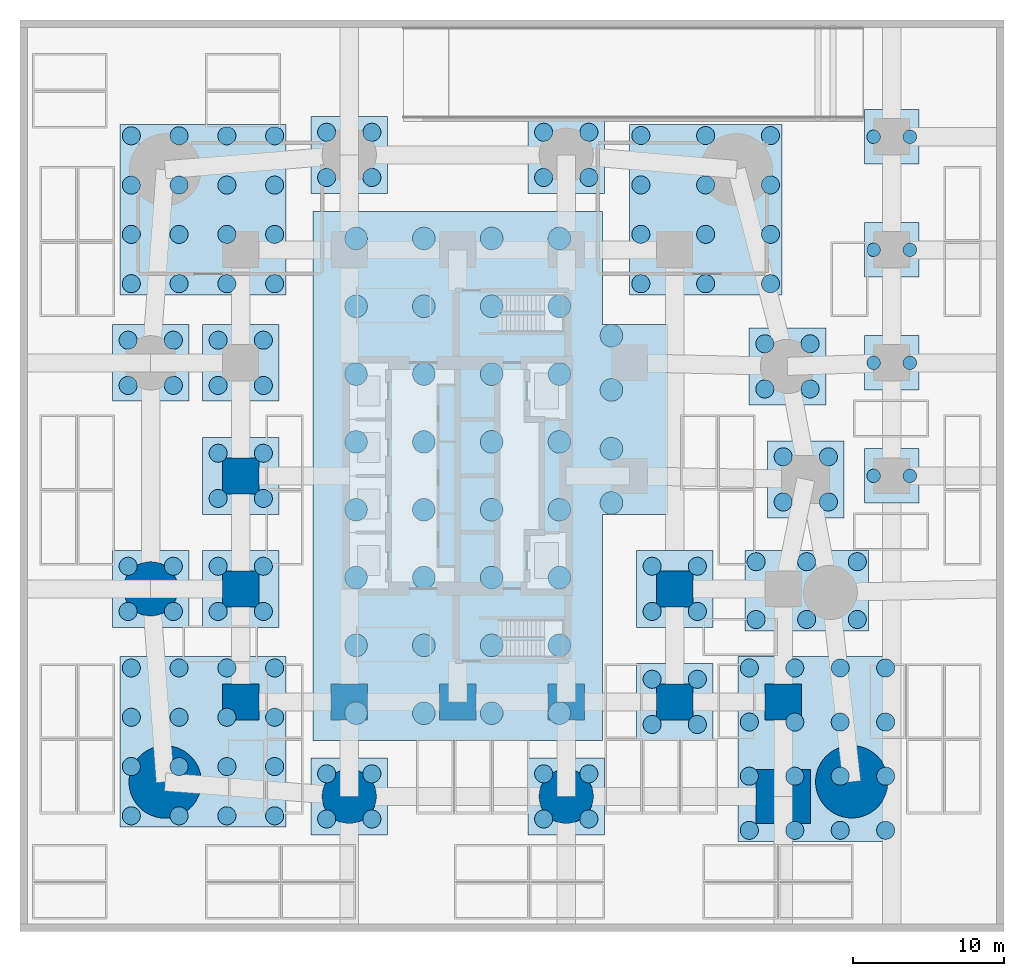
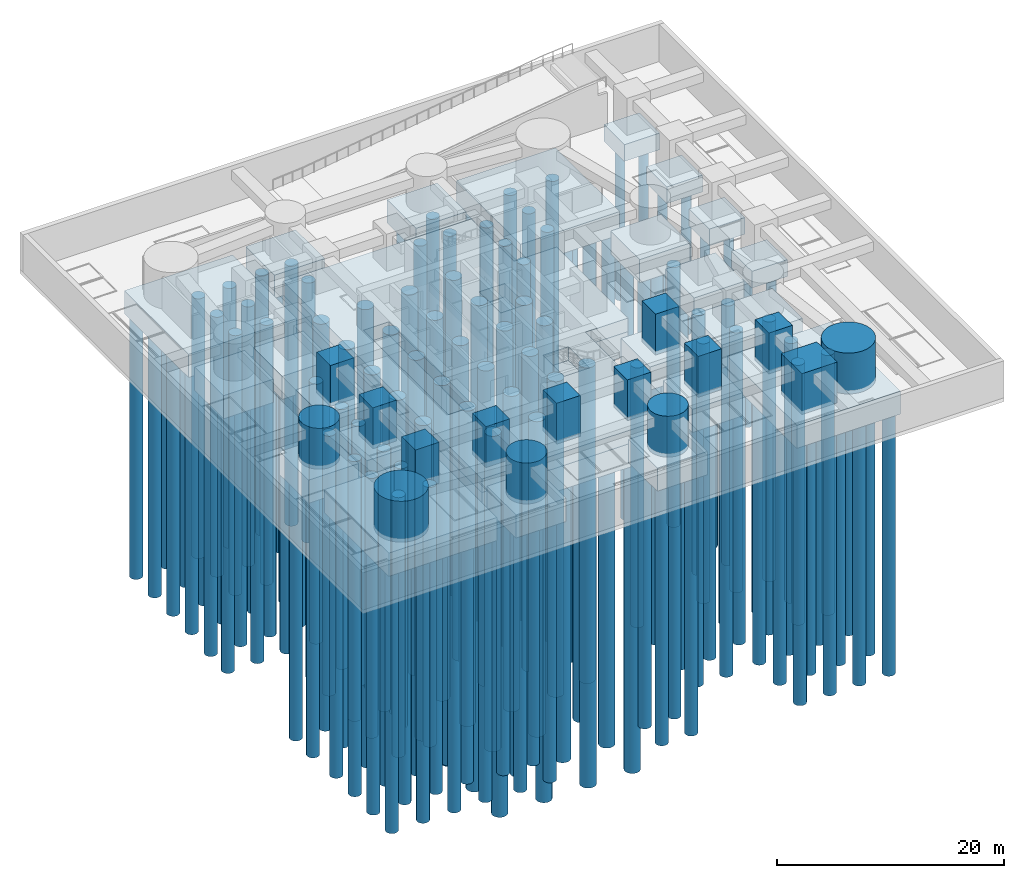
# One storey, part 1 of 10: 162 piles, 24 footings, 15 columns.
"""IFC4 building model written with IfcOpenShell, lengths in metres."""

from ifc_helpers import new_model, si_unit, direction, frame, origin, origin_2d, place, context, subcontext, project, spatial, polyline, rectangle, circle, outline, extrude, material, material_profile, profile_set, type_object, element, save


model = new_model("IFC4")

# Units and contexts
model_context = context("Model", 3, precision=1e-05, world=origin(), true_north=direction((0.0, 1.0)))
body_context = subcontext(model_context, "Body", "Model", "MODEL_VIEW")
ifc_project = project(units=[si_unit("LENGTHUNIT", "METRE"), si_unit("AREAUNIT", "SQUARE_METRE"), si_unit("VOLUMEUNIT", "CUBIC_METRE"), si_unit("PLANEANGLEUNIT", "RADIAN"), si_unit("MASSUNIT", "GRAM", prefix="KILO")], contexts=[model_context])

# Site, building, storey
site_placement = place(None, origin())
site = spatial("IfcSite", under=ifc_project, at=site_placement, CompositionType="ELEMENT")
building_placement = place(site_placement, origin())
building = spatial("IfcBuilding", under=site, at=building_placement, Name="Sheger Commons Tower", CompositionType="ELEMENT")
storey_placement = place(building_placement, frame((0.0, 0.0, -8.0)))
storey = spatial("IfcBuildingStorey", under=building, at=storey_placement, Name="B2", CompositionType="ELEMENT", Elevation=-8.0)

# Piles
ifc_material_1 = material(Name="Concrete C40/50", Category="concrete")
ifc_material_profile_1 = material_profile(ifc_material_1, circle(Radius=0.60009765625, at=origin_2d()), Name="PILE D1200")
ifc_profile_set_1 = profile_set([ifc_material_profile_1], Name="Concrete C40/50")
pile_type_1 = type_object("IfcPileType", Name="BORED PILE D1200", PredefinedType="BORED", material=ifc_profile_set_1)
for number, where, z_axis, x_axis, name in (
    (1, (12.89990234375, -0.27490234375, -2.89990234375), (0.0, 0.0, -1.0), (1.0, 0.0, 0.0), "Bored pile 37"),
    (2, (15.89990234375, -0.27490234375, -2.89990234375), (0.0, 0.0, -1.0), (1.0, 0.0, 0.0), "Bored pile 38"),
    (3, (12.89990234375, 2.72509765625, -2.89990234375), (0.0, 0.0, -1.0), (1.0, 0.0, 0.0), "Bored pile 39"),
    (4, (15.89990234375, 2.72509765625, -2.89990234375), (0.0, 0.0, -1.0), (1.0, 0.0, 0.0), "Bored pile 40"),
    (5, (27.300048828125, -0.27490234375, -2.89990234375), (0.0, 0.0, -1.0), (1.0, 0.0, 0.0), "Bored pile 41"),
    (6, (30.300048828125, -0.27490234375, -2.89990234375), (0.0, 0.0, -1.0), (1.0, 0.0, 0.0), "Bored pile 42"),
    (7, (27.300048828125, 2.72509765625, -2.89990234375), (0.0, 0.0, -1.0), (1.0, 0.0, 0.0), "Bored pile 43"),
    (8, (30.300048828125, 2.72509765625, -2.89990234375), (0.0, 0.0, -1.0), (1.0, 0.0, 0.0), "Bored pile 44"),
    (9, (40.949951171875, -1.02490234375, -2.89990234375), (0.0, 0.0, -1.0), (1.0, 0.0, 0.0), "Bored pile 45"),
    (10, (43.966064453125, -1.02490234375, -2.89990234375), (0.0, 0.0, -1.0), (1.0, 0.0, 0.0), "Bored pile 46"),
    (11, (46.98193359375, -1.02490234375, -2.89990234375), (0.0, 0.0, -1.0), (1.0, 0.0, 0.0), "Bored pile 47"),
    (12, (49.998046875, -1.02490234375, -2.89990234375), (0.0, 0.0, -1.0), (1.0, 0.0, 0.0), "Bored pile 48"),
    (13, (40.949951171875, 2.56689453125, -2.89990234375), (0.0, 0.0, -1.0), (1.0, 0.0, 0.0), "Bored pile 49"),
    (14, (43.966064453125, 2.56689453125, -2.89990234375), (0.0, 0.0, -1.0), (1.0, 0.0, 0.0), "Bored pile 50"),
    (15, (46.98193359375, 2.56689453125, -2.89990234375), (0.0, 0.0, -1.0), (1.0, 0.0, 0.0), "Bored pile 51"),
    (16, (49.998046875, 2.56689453125, -2.89990234375), (0.0, 0.0, -1.0), (1.0, 0.0, 0.0), "Bored pile 52"),
    (17, (40.949951171875, 6.157958984375, -2.89990234375), (0.0, 0.0, -1.0), (1.0, 0.0, 0.0), "Bored pile 53"),
    (18, (43.966064453125, 6.157958984375, -2.89990234375), (0.0, 0.0, -1.0), (1.0, 0.0, 0.0), "Bored pile 54"),
    (19, (46.98193359375, 6.157958984375, -2.89990234375), (0.0, 0.0, -1.0), (1.0, 0.0, 0.0), "Bored pile 55"),
    (20, (49.998046875, 6.157958984375, -2.89990234375), (0.0, 0.0, -1.0), (1.0, 0.0, 0.0), "Bored pile 56"),
    (21, (40.949951171875, 9.75, -2.89990234375), (0.0, 0.0, -1.0), (1.0, 0.0, 0.0), "Bored pile 57"),
    (22, (43.966064453125, 9.75, -2.89990234375), (0.0, 0.0, -1.0), (1.0, 0.0, 0.0), "Bored pile 58"),
    (23, (46.98193359375, 9.75, -2.89990234375), (0.0, 0.0, -1.0), (1.0, 0.0, 0.0), "Bored pile 59"),
    (24, (49.998046875, 9.75, -2.89990234375), (0.0, 0.0, -1.0), (1.0, 0.0, 0.0), "Bored pile 60"),
    (25, (-0.06396484375, -0.06396484375, -2.89990234375), (0.0, 0.0, -1.0), (1.0, 0.0, 0.0), "Bored pile 61"),
    (26, (3.10693359375, -0.06396484375, -2.89990234375), (0.0, 0.0, -1.0), (1.0, 0.0, 0.0), "Bored pile 62"),
    (27, (6.279052734375, -0.06396484375, -2.89990234375), (0.0, 0.0, -1.0), (1.0, 0.0, 0.0), "Bored pile 63"),
    (28, (9.449951171875, -0.06396484375, -2.89990234375), (0.0, 0.0, -1.0), (1.0, 0.0, 0.0), "Bored pile 64"),
    (29, (-0.06396484375, 3.20703125, -2.89990234375), (0.0, 0.0, -1.0), (1.0, 0.0, 0.0), "Bored pile 65"),
    (30, (3.10693359375, 3.20703125, -2.89990234375), (0.0, 0.0, -1.0), (1.0, 0.0, 0.0), "Bored pile 66"),
    (31, (6.279052734375, 3.20703125, -2.89990234375), (0.0, 0.0, -1.0), (1.0, 0.0, 0.0), "Bored pile 67"),
    (32, (9.449951171875, 3.20703125, -2.89990234375), (0.0, 0.0, -1.0), (1.0, 0.0, 0.0), "Bored pile 68"),
    (33, (-0.06396484375, 6.47900390625, -2.89990234375), (0.0, 0.0, -1.0), (1.0, 0.0, 0.0), "Bored pile 69"),
    (34, (3.10693359375, 6.47900390625, -2.89990234375), (0.0, 0.0, -1.0), (1.0, 0.0, 0.0), "Bored pile 70"),
    (35, (6.279052734375, 6.47900390625, -2.89990234375), (0.0, 0.0, -1.0), (1.0, 0.0, 0.0), "Bored pile 71"),
    (36, (9.449951171875, 6.47900390625, -2.89990234375), (0.0, 0.0, -1.0), (1.0, 0.0, 0.0), "Bored pile 72"),
    (37, (-0.06396484375, 9.75, -2.89990234375), (0.0, 0.0, -1.0), (1.0, 0.0, 0.0), "Bored pile 73"),
    (38, (3.10693359375, 9.75, -2.89990234375), (0.0, 0.0, -1.0), (1.0, 0.0, 0.0), "Bored pile 74"),
    (39, (6.279052734375, 9.75, -2.89990234375), (0.0, 0.0, -1.0), (1.0, 0.0, 0.0), "Bored pile 75"),
    (40, (9.449951171875, 9.75, -2.89990234375), (0.0, 0.0, -1.0), (1.0, 0.0, 0.0), "Bored pile 76"),
    (41, (34.5, 6.0, -2.89990234375), (0.0, 0.0, -1.0), (1.0, 0.0, 0.0), "Bored pile 77"),
    (42, (37.5, 6.0, -2.89990234375), (0.0, 0.0, -1.0), (1.0, 0.0, 0.0), "Bored pile 78"),
    (43, (34.5, 9.0, -2.89990234375), (0.0, 0.0, -1.0), (1.0, 0.0, 0.0), "Bored pile 79"),
    (44, (37.5, 9.0, -2.89990234375), (0.0, 0.0, -1.0), (1.0, 0.0, 0.0), "Bored pile 80"),
    (45, (-0.27490234375, 13.5, -2.89990234375), (0.0, 0.0, -1.0), (1.0, 0.0, 0.0), "Bored pile 81"),
    (46, (2.72509765625, 13.5, -2.89990234375), (0.0, 0.0, -1.0), (1.0, 0.0, 0.0), "Bored pile 82"),
    (47, (-0.27490234375, 16.5, -2.89990234375), (0.0, 0.0, -1.0), (1.0, 0.0, 0.0), "Bored pile 83"),
    (48, (2.72509765625, 16.5, -2.89990234375), (0.0, 0.0, -1.0), (1.0, 0.0, 0.0), "Bored pile 84"),
    (49, (5.699951171875, 13.5, -2.89990234375), (0.0, 0.0, -1.0), (1.0, 0.0, 0.0), "Bored pile 85"),
    (50, (8.699951171875, 13.5, -2.89990234375), (0.0, 0.0, -1.0), (1.0, 0.0, 0.0), "Bored pile 86"),
    (51, (5.699951171875, 16.5, -2.89990234375), (0.0, 0.0, -1.0), (1.0, 0.0, 0.0), "Bored pile 87"),
    (52, (8.699951171875, 16.5, -2.89990234375), (0.0, 0.0, -1.0), (1.0, 0.0, 0.0), "Bored pile 88"),
    (53, (34.5, 13.5, -2.89990234375), (0.0, 0.0, -1.0), (1.0, 0.0, 0.0), "Bored pile 89"),
    (54, (37.5, 13.5, -2.89990234375), (0.0, 0.0, -1.0), (1.0, 0.0, 0.0), "Bored pile 90"),
    (55, (34.5, 16.5, -2.89990234375), (0.0, 0.0, -1.0), (1.0, 0.0, 0.0), "Bored pile 91"),
    (56, (37.5, 16.5, -2.89990234375), (0.0, 0.0, -1.0), (1.0, 0.0, 0.0), "Bored pile 92"),
    (57, (41.39990234375, 12.962890625, -2.89990234375), (0.0, 0.0, -1.0), (1.0, 0.0, 0.0), "Bored pile 93"),
    (58, (44.757080078125, 12.962890625, -2.89990234375), (0.0, 0.0, -1.0), (1.0, 0.0, 0.0), "Bored pile 94"),
    (59, (48.114013671875, 12.962890625, -2.89990234375), (0.0, 0.0, -1.0), (1.0, 0.0, 0.0), "Bored pile 95"),
    (60, (41.39990234375, 16.800048828125, -2.89990234375), (0.0, 0.0, -1.0), (1.0, 0.0, 0.0), "Bored pile 96"),
    (61, (44.757080078125, 16.800048828125, -2.89990234375), (0.0, 0.0, -1.0), (1.0, 0.0, 0.0), "Bored pile 97"),
    (62, (48.114013671875, 16.800048828125, -2.89990234375), (0.0, 0.0, -1.0), (1.0, 0.0, 0.0), "Bored pile 98"),
    (63, (43.197021484375, 20.762939453125, -2.89990234375), (0.0, 0.0, -1.0), (1.0, 0.0, 0.0), "Bored pile 99"),
    (64, (46.197021484375, 20.762939453125, -2.89990234375), (0.0, 0.0, -1.0), (1.0, 0.0, 0.0), "Bored pile 100"),
    (65, (43.197021484375, 23.762939453125, -2.89990234375), (0.0, 0.0, -1.0), (1.0, 0.0, 0.0), "Bored pile 101"),
    (66, (46.197021484375, 23.762939453125, -2.89990234375), (0.0, 0.0, -1.0), (1.0, 0.0, 0.0), "Bored pile 102"),
    (67, (5.699951171875, 21.0, -2.89990234375), (0.0, 0.0, -1.0), (1.0, 0.0, 0.0), "Bored pile 103"),
    (68, (8.699951171875, 21.0, -2.89990234375), (0.0, 0.0, -1.0), (1.0, 0.0, 0.0), "Bored pile 104"),
    (69, (5.699951171875, 24.0, -2.89990234375), (0.0, 0.0, -1.0), (1.0, 0.0, 0.0), "Bored pile 105"),
    (70, (8.699951171875, 24.0, -2.89990234375), (0.0, 0.0, -1.0), (1.0, 0.0, 0.0), "Bored pile 106"),
    (71, (41.97998046875, 28.262939453125, -2.89990234375), (0.0, 0.0, -1.0), (1.0, 0.0, 0.0), "Bored pile 109"),
    (72, (44.97998046875, 28.262939453125, -2.89990234375), (0.0, 0.0, -1.0), (1.0, 0.0, 0.0), "Bored pile 110"),
    (73, (41.97998046875, 31.262939453125, -2.89990234375), (0.0, 0.0, -1.0), (1.0, 0.0, 0.0), "Bored pile 111"),
    (74, (44.97998046875, 31.262939453125, -2.89990234375), (0.0, 0.0, -1.0), (1.0, 0.0, 0.0), "Bored pile 112"),
    (75, (-0.27490234375, 28.5, -2.89990234375), (0.0, 0.0, -1.0), (1.0, 0.0, 0.0), "Bored pile 113"),
    (76, (2.72509765625, 28.5, -2.89990234375), (0.0, 0.0, -1.0), (1.0, 0.0, 0.0), "Bored pile 114"),
    (77, (-0.27490234375, 31.5, -2.89990234375), (0.0, 0.0, -1.0), (1.0, 0.0, 0.0), "Bored pile 115"),
    (78, (2.72509765625, 31.5, -2.89990234375), (0.0, 0.0, -1.0), (1.0, 0.0, 0.0), "Bored pile 116"),
    (79, (5.699951171875, 28.5, -2.89990234375), (0.0, 0.0, -1.0), (1.0, 0.0, 0.0), "Bored pile 117"),
    (80, (8.699951171875, 28.5, -2.89990234375), (0.0, 0.0, -1.0), (1.0, 0.0, 0.0), "Bored pile 118"),
    (81, (5.699951171875, 31.5, -2.89990234375), (0.0, 0.0, -1.0), (1.0, 0.0, 0.0), "Bored pile 119"),
    (82, (8.699951171875, 31.5, -2.89990234375), (0.0, 0.0, -1.0), (1.0, 0.0, 0.0), "Bored pile 120"),
    (83, (-0.06396484375, 35.25, -2.89990234375), (0.0, 0.0, -1.0), (1.0, 0.0, 0.0), "Bored pile 123"),
    (84, (3.10693359375, 35.25, -2.89990234375), (0.0, 0.0, -1.0), (1.0, 0.0, 0.0), "Bored pile 124"),
    (85, (6.279052734375, 35.25, -2.89990234375), (0.0, 0.0, -1.0), (1.0, 0.0, 0.0), "Bored pile 125"),
    (86, (9.449951171875, 35.25, -2.89990234375), (0.0, 0.0, -1.0), (1.0, 0.0, 0.0), "Bored pile 126"),
    (87, (-0.06396484375, 38.52099609375, -2.89990234375), (0.0, 0.0, -1.0), (1.0, 0.0, 0.0), "Bored pile 127"),
    (88, (3.10693359375, 38.52099609375, -2.89990234375), (0.0, 0.0, -1.0), (1.0, 0.0, 0.0), "Bored pile 128"),
    (89, (6.279052734375, 38.52099609375, -2.89990234375), (0.0, 0.0, -1.0), (1.0, 0.0, 0.0), "Bored pile 129"),
    (90, (9.449951171875, 38.52099609375, -2.89990234375), (0.0, 0.0, -1.0), (1.0, 0.0, 0.0), "Bored pile 130"),
    (91, (-0.06396484375, 41.79296875, -2.89990234375), (0.0, 0.0, -1.0), (1.0, 0.0, 0.0), "Bored pile 131"),
    (92, (3.10693359375, 41.79296875, -2.89990234375), (0.0, 0.0, -1.0), (1.0, 0.0, 0.0), "Bored pile 132"),
    (93, (6.279052734375, 41.79296875, -2.89990234375), (0.0, 0.0, -1.0), (1.0, 0.0, 0.0), "Bored pile 133"),
    (94, (9.449951171875, 41.79296875, -2.89990234375), (0.0, 0.0, -1.0), (1.0, 0.0, 0.0), "Bored pile 134"),
    (95, (-0.06396484375, 45.06396484375, -2.89990234375), (0.0, 0.0, -1.0), (1.0, 0.0, 0.0), "Bored pile 135"),
    (96, (3.10693359375, 45.06396484375, -2.89990234375), (0.0, 0.0, -1.0), (1.0, 0.0, 0.0), "Bored pile 136"),
    (97, (6.279052734375, 45.06396484375, -2.89990234375), (0.0, 0.0, -1.0), (1.0, 0.0, 0.0), "Bored pile 137"),
    (98, (9.449951171875, 45.06396484375, -2.89990234375), (0.0, 0.0, -1.0), (1.0, 0.0, 0.0), "Bored pile 138"),
    (99, (33.75, 35.25, -2.89990234375), (0.0, 0.0, -1.0), (1.0, 0.0, 0.0), "Bored pile 139"),
    (100, (38.051025390625, 35.25, -2.89990234375), (0.0, 0.0, -1.0), (1.0, 0.0, 0.0), "Bored pile 140"),
    (101, (42.35205078125, 35.25, -2.89990234375), (0.0, 0.0, -1.0), (1.0, 0.0, 0.0), "Bored pile 141"),
    (102, (33.75, 38.527099609375, -2.89990234375), (0.0, 0.0, -1.0), (1.0, 0.0, 0.0), "Bored pile 142"),
    (103, (38.051025390625, 38.527099609375, -2.89990234375), (0.0, 0.0, -1.0), (1.0, 0.0, 0.0), "Bored pile 143"),
    (104, (42.35205078125, 38.527099609375, -2.89990234375), (0.0, 0.0, -1.0), (1.0, 0.0, 0.0), "Bored pile 144"),
    (105, (33.75, 41.802978515625, -2.89990234375), (0.0, 0.0, -1.0), (1.0, 0.0, 0.0), "Bored pile 145"),
    (106, (38.051025390625, 41.802978515625, -2.89990234375), (0.0, 0.0, -1.0), (1.0, 0.0, 0.0), "Bored pile 146"),
    (107, (42.35205078125, 41.802978515625, -2.89990234375), (0.0, 0.0, -1.0), (1.0, 0.0, 0.0), "Bored pile 147"),
    (108, (33.75, 45.080078125, -2.89990234375), (0.0, 0.0, -1.0), (1.0, 0.0, 0.0), "Bored pile 148"),
    (109, (38.051025390625, 45.080078125, -2.89990234375), (0.0, 0.0, -1.0), (1.0, 0.0, 0.0), "Bored pile 149"),
    (110, (42.35205078125, 45.080078125, -2.89990234375), (0.0, 0.0, -1.0), (1.0, 0.0, 0.0), "Bored pile 150"),
    (111, (12.89990234375, 42.300048828125, -2.89990234375), (0.0, 0.0, -1.0), (1.0, 0.0, 0.0), "Bored pile 153"),
    (112, (15.89990234375, 42.300048828125, -2.89990234375), (0.0, 0.0, -1.0), (1.0, 0.0, 0.0), "Bored pile 154"),
    (113, (12.89990234375, 45.300048828125, -2.89990234375), (0.0, 0.0, -1.0), (1.0, 0.0, 0.0), "Bored pile 155"),
    (114, (15.89990234375, 45.300048828125, -2.89990234375), (0.0, 0.0, -1.0), (1.0, 0.0, 0.0), "Bored pile 156"),
    (115, (27.300048828125, 42.300048828125, -2.89990234375), (0.0, 0.0, -1.0), (1.0, 0.0, 0.0), "Bored pile 157"),
    (116, (30.300048828125, 42.300048828125, -2.89990234375), (0.0, 0.0, -1.0), (1.0, 0.0, 0.0), "Bored pile 158"),
    (117, (27.300048828125, 45.300048828125, -2.89990234375), (0.0, 0.0, -1.0), (1.0, 0.0, 0.0), "Bored pile 159"),
    (118, (30.300048828125, 45.300048828125, -2.89990234375), (0.0, 0.0, -1.0), (1.0, 0.0, 0.0), "Bored pile 160"),
):
    element("IfcPile", number, at=place(storey_placement, frame(where, z_axis=z_axis, x_axis=x_axis)), inside=storey, type_object=pile_type_1, Name=name, PredefinedType="BORED", context=body_context, shape_type="SweptSolid", body=[
        extrude(circle(Radius=0.60009765625, at=origin_2d()), origin(), (0.0, 0.0, 1.0), 28.0),
    ])
ifc_material_2 = material(Name="Concrete C40/50", Category="concrete")
ifc_material_profile_2 = material_profile(ifc_material_2, circle(Radius=0.75, at=origin_2d()), Name="PILE D1500")
ifc_profile_set_2 = profile_set([ifc_material_profile_2], Name="Concrete C40/50")
pile_type_2 = type_object("IfcPileType", Name="BORED PILE D1500", PredefinedType="BORED", material=ifc_profile_set_2)
for number, where, z_axis, x_axis, name in (
    (119, (14.85009765625, 6.75, -4.39990234375), (0.0, 0.0, -1.0), (1.0, 0.0, 0.0), "Bored pile 1"),
    (120, (19.35009765625, 6.75, -4.39990234375), (0.0, 0.0, -1.0), (1.0, 0.0, 0.0), "Bored pile 2"),
    (121, (23.85009765625, 6.75, -4.39990234375), (0.0, 0.0, -1.0), (1.0, 0.0, 0.0), "Bored pile 3"),
    (122, (28.35009765625, 6.75, -4.39990234375), (0.0, 0.0, -1.0), (1.0, 0.0, 0.0), "Bored pile 4"),
    (123, (14.85009765625, 11.25, -4.39990234375), (0.0, 0.0, -1.0), (1.0, 0.0, 0.0), "Bored pile 5"),
    (124, (19.35009765625, 11.25, -4.39990234375), (0.0, 0.0, -1.0), (1.0, 0.0, 0.0), "Bored pile 6"),
    (125, (23.85009765625, 11.25, -4.39990234375), (0.0, 0.0, -1.0), (1.0, 0.0, 0.0), "Bored pile 7"),
    (126, (28.35009765625, 11.25, -4.39990234375), (0.0, 0.0, -1.0), (1.0, 0.0, 0.0), "Bored pile 8"),
    (127, (14.85009765625, 15.75, -4.39990234375), (0.0, 0.0, -1.0), (1.0, 0.0, 0.0), "Bored pile 9"),
    (128, (19.35009765625, 15.75, -4.39990234375), (0.0, 0.0, -1.0), (1.0, 0.0, 0.0), "Bored pile 10"),
    (129, (23.85009765625, 15.75, -4.39990234375), (0.0, 0.0, -1.0), (1.0, 0.0, 0.0), "Bored pile 11"),
    (130, (28.35009765625, 15.75, -4.39990234375), (0.0, 0.0, -1.0), (1.0, 0.0, 0.0), "Bored pile 12"),
    (131, (14.85009765625, 20.25, -4.39990234375), (0.0, 0.0, -1.0), (1.0, 0.0, 0.0), "Bored pile 13"),
    (132, (19.35009765625, 20.25, -4.39990234375), (0.0, 0.0, -1.0), (1.0, 0.0, 0.0), "Bored pile 14"),
    (133, (23.85009765625, 20.25, -4.39990234375), (0.0, 0.0, -1.0), (1.0, 0.0, 0.0), "Bored pile 15"),
    (134, (28.35009765625, 20.25, -4.39990234375), (0.0, 0.0, -1.0), (1.0, 0.0, 0.0), "Bored pile 16"),
    (135, (14.85009765625, 24.75, -4.39990234375), (0.0, 0.0, -1.0), (1.0, 0.0, 0.0), "Bored pile 17"),
    (136, (19.35009765625, 24.75, -4.39990234375), (0.0, 0.0, -1.0), (1.0, 0.0, 0.0), "Bored pile 18"),
    (137, (23.85009765625, 24.75, -4.39990234375), (0.0, 0.0, -1.0), (1.0, 0.0, 0.0), "Bored pile 19"),
    (138, (28.35009765625, 24.75, -4.39990234375), (0.0, 0.0, -1.0), (1.0, 0.0, 0.0), "Bored pile 20"),
    (139, (14.85009765625, 29.25, -4.39990234375), (0.0, 0.0, -1.0), (1.0, 0.0, 0.0), "Bored pile 21"),
    (140, (19.35009765625, 29.25, -4.39990234375), (0.0, 0.0, -1.0), (1.0, 0.0, 0.0), "Bored pile 22"),
    (141, (23.85009765625, 29.25, -4.39990234375), (0.0, 0.0, -1.0), (1.0, 0.0, 0.0), "Bored pile 23"),
    (142, (28.35009765625, 29.25, -4.39990234375), (0.0, 0.0, -1.0), (1.0, 0.0, 0.0), "Bored pile 24"),
    (143, (14.85009765625, 33.75, -4.39990234375), (0.0, 0.0, -1.0), (1.0, 0.0, 0.0), "Bored pile 25"),
    (144, (19.35009765625, 33.75, -4.39990234375), (0.0, 0.0, -1.0), (1.0, 0.0, 0.0), "Bored pile 26"),
    (145, (23.85009765625, 33.75, -4.39990234375), (0.0, 0.0, -1.0), (1.0, 0.0, 0.0), "Bored pile 27"),
    (146, (28.35009765625, 33.75, -4.39990234375), (0.0, 0.0, -1.0), (1.0, 0.0, 0.0), "Bored pile 28"),
    (147, (14.85009765625, 38.25, -4.39990234375), (0.0, 0.0, -1.0), (1.0, 0.0, 0.0), "Bored pile 29"),
    (148, (19.35009765625, 38.25, -4.39990234375), (0.0, 0.0, -1.0), (1.0, 0.0, 0.0), "Bored pile 30"),
    (149, (23.85009765625, 38.25, -4.39990234375), (0.0, 0.0, -1.0), (1.0, 0.0, 0.0), "Bored pile 31"),
    (150, (28.35009765625, 38.25, -4.39990234375), (0.0, 0.0, -1.0), (1.0, 0.0, 0.0), "Bored pile 32"),
    (151, (31.800048828125, 20.699951171875, -4.39990234375), (0.0, 0.0, -1.0), (1.0, 0.0, 0.0), "Bored pile 33"),
    (152, (31.800048828125, 24.300048828125, -4.39990234375), (0.0, 0.0, -1.0), (1.0, 0.0, 0.0), "Bored pile 34"),
    (153, (31.800048828125, 28.199951171875, -4.39990234375), (0.0, 0.0, -1.0), (1.0, 0.0, 0.0), "Bored pile 35"),
    (154, (31.800048828125, 31.800048828125, -4.39990234375), (0.0, 0.0, -1.0), (1.0, 0.0, 0.0), "Bored pile 36"),
):
    element("IfcPile", number, at=place(storey_placement, frame(where, z_axis=z_axis, x_axis=x_axis)), inside=storey, type_object=pile_type_2, Name=name, PredefinedType="BORED", context=body_context, shape_type="SweptSolid", body=[
        extrude(circle(Radius=0.75, at=origin_2d()), origin(), (0.0, 0.0, 1.0), 34.0),
    ])
ifc_material_3 = material(Name="Concrete C40/50", Category="concrete")
ifc_material_profile_3 = material_profile(ifc_material_3, circle(Radius=0.449951171875, at=origin_2d()), Name="PILE D900")
ifc_profile_set_3 = profile_set([ifc_material_profile_3], Name="Concrete C40/50")
pile_type_3 = type_object("IfcPileType", Name="BORED PILE D900", PredefinedType="BORED", material=ifc_profile_set_3)
for number, where, z_axis, x_axis, name in (
    (155, (49.199951171875, 22.5, -2.199951171875), (0.0, 0.0, -1.0), (1.0, 0.0, 0.0), "Bored pile 107"),
    (156, (51.60009765625, 22.5, -2.199951171875), (0.0, 0.0, -1.0), (1.0, 0.0, 0.0), "Bored pile 108"),
    (157, (49.199951171875, 30.0, -2.199951171875), (0.0, 0.0, -1.0), (1.0, 0.0, 0.0), "Bored pile 121"),
    (158, (51.60009765625, 30.0, -2.199951171875), (0.0, 0.0, -1.0), (1.0, 0.0, 0.0), "Bored pile 122"),
    (159, (49.199951171875, 37.5, -2.199951171875), (0.0, 0.0, -1.0), (1.0, 0.0, 0.0), "Bored pile 151"),
    (160, (51.60009765625, 37.5, -2.199951171875), (0.0, 0.0, -1.0), (1.0, 0.0, 0.0), "Bored pile 152"),
    (161, (49.199951171875, 45.0, -2.199951171875), (0.0, 0.0, -1.0), (1.0, 0.0, 0.0), "Bored pile 161"),
    (162, (51.60009765625, 45.0, -2.199951171875), (0.0, 0.0, -1.0), (1.0, 0.0, 0.0), "Bored pile 162"),
):
    element("IfcPile", number, at=place(storey_placement, frame(where, z_axis=z_axis, x_axis=x_axis)), inside=storey, type_object=pile_type_3, Name=name, PredefinedType="BORED", context=body_context, shape_type="SweptSolid", body=[
        extrude(circle(Radius=0.449951171875, at=origin_2d()), origin(), (0.0, 0.0, 1.0), 16.0),
    ])

# Footings
ifc_material_4 = material(Name="Concrete C40/50", Category="concrete")
footing_type_1 = type_object("IfcFootingType", Name="COMBINED PILE CAP", PredefinedType="PILE_CAP", material=ifc_material_4)
footing_1_placement = place(storey_placement, frame((0.0, 0.0, -2.89990234375)))
element("IfcFooting", 163, at=footing_1_placement, inside=storey, type_object=footing_type_1, Name="Pile cap 43.200,1.225+47.748,2.197+7/B", PredefinedType="PILE_CAP", context=body_context, shape_type="SweptSolid", body=[
    extrude(outline(polyline([(40.199951171875, -1.77490234375), (50.748046875, -1.77490234375), (50.748046875, 10.5), (40.199951171875, 10.5), (40.199951171875, -1.77490234375)])), origin(), (0.0, 0.0, 1.0), 2.5),
])
footing_2_placement = place(storey_placement, frame((0.0, 0.0, -2.89990234375)))
element("IfcFooting", 164, at=footing_2_placement, inside=storey, type_object=footing_type_1, Name="Pile cap 2.186,2.186+2/B", PredefinedType="PILE_CAP", context=body_context, shape_type="SweptSolid", body=[
    extrude(outline(polyline([(-0.81396484375, -0.81396484375), (10.199951171875, -0.81396484375), (10.199951171875, 10.5), (-0.81396484375, 10.5), (-0.81396484375, -0.81396484375)])), origin(), (0.0, 0.0, 1.0), 2.5),
])
footing_3_placement = place(storey_placement, frame((0.0, 0.0, -2.89990234375)))
element("IfcFooting", 165, at=footing_3_placement, inside=storey, type_object=footing_type_1, Name="Pile cap 7/C+46.314,14.763", PredefinedType="PILE_CAP", context=body_context, shape_type="SweptSolid", body=[
    extrude(outline(polyline([(40.64990234375, 12.212890625), (48.864013671875, 12.212890625), (48.864013671875, 17.550048828125), (40.64990234375, 17.550048828125), (40.64990234375, 12.212890625)])), origin(), (0.0, 0.0, 1.0), 2.5),
])
footing_4_placement = place(storey_placement, frame((0.0, 0.0, -2.89990234375)))
element("IfcFooting", 166, at=footing_4_placement, inside=storey, type_object=footing_type_1, Name="Pile cap 2/F+2.186,42.814", PredefinedType="PILE_CAP", context=body_context, shape_type="SweptSolid", body=[
    extrude(outline(polyline([(-0.81396484375, 34.5), (10.199951171875, 34.5), (10.199951171875, 45.81396484375), (-0.81396484375, 45.81396484375), (-0.81396484375, 34.5)])), origin(), (0.0, 0.0, 1.0), 2.5),
])
footing_5_placement = place(storey_placement, frame((0.0, 0.0, -2.89990234375)))
element("IfcFooting", 167, at=footing_5_placement, inside=storey, type_object=footing_type_1, Name="Pile cap 6/F+40.102,42.830", PredefinedType="PILE_CAP", context=body_context, shape_type="SweptSolid", body=[
    extrude(outline(polyline([(33.0, 34.5), (43.10205078125, 34.5), (43.10205078125, 45.830078125), (33.0, 45.830078125), (33.0, 34.5)])), origin(), (0.0, 0.0, 1.0), 2.5),
])
ifc_material_5 = material(Name="Concrete C40/50", Category="concrete")
footing_type_2 = type_object("IfcFootingType", Name="CORE PILE CAP", PredefinedType="PILE_CAP", material=ifc_material_5)
footing_6_placement = place(storey_placement, frame((0.0, 0.0, -4.39990234375)))
element("IfcFooting", 168, at=footing_6_placement, inside=storey, type_object=footing_type_2, Name="Core pile cap", PredefinedType="PILE_CAP", context=body_context, shape_type="SweptSolid", body=[
    extrude(outline(polyline([(12.0, 4.949951171875), (31.199951171875, 4.949951171875), (31.199951171875, 19.949951171875), (35.550048828125, 19.949951171875), (35.550048828125, 32.550048828125), (31.199951171875, 32.550048828125), (31.199951171875, 40.050048828125), (12.0, 40.050048828125), (12.0, 4.949951171875)])), origin(), (0.0, 0.0, 1.0), 2.5498046875),
])
ifc_material_6 = material(Name="Concrete C40/50", Category="concrete")
footing_type_3 = type_object("IfcFootingType", Name="CORE PILE CAP UPPER", PredefinedType="PILE_CAP", material=ifc_material_6)
footing_7_placement = place(storey_placement, frame((0.0, 0.0, -1.85009765625)))
element("IfcFooting", 169, at=footing_7_placement, inside=storey, type_object=footing_type_3, Name="Core pile cap upper lift, recessed for the lift pits", PredefinedType="PILE_CAP", context=body_context, shape_type="SweptSolid", body=[
    extrude(outline(polyline([(12.0, 4.949951171875), (31.199951171875, 4.949951171875), (31.199951171875, 19.949951171875), (35.550048828125, 19.949951171875), (35.550048828125, 32.550048828125), (31.199951171875, 32.550048828125), (31.199951171875, 40.050048828125), (12.0, 40.050048828125), (12.0, 4.949951171875)]), holes=[polyline([(14.39990234375, 15.0), (17.0, 15.0), (17.0, 18.75), (17.0, 22.5), (17.0, 26.25), (17.0, 30.0), (14.39990234375, 30.0), (14.39990234375, 26.25), (14.39990234375, 22.5), (14.39990234375, 18.75), (14.39990234375, 15.0)]), polyline([(26.199951171875, 15.0), (28.800048828125, 15.0), (28.800048828125, 18.75), (26.199951171875, 18.75), (26.199951171875, 15.0)]), polyline([(26.199951171875, 26.25), (28.800048828125, 26.25), (28.800048828125, 30.0), (26.199951171875, 30.0), (26.199951171875, 26.25)])]), origin(), (0.0, 0.0, 1.0), 1.4501953125),
])
ifc_material_7 = material(Name="Concrete C40/50", Category="concrete")
footing_type_4 = type_object("IfcFootingType", Name="PILE CAP 3600x3600x1800", PredefinedType="PILE_CAP", material=ifc_material_7)
for number, where, z_axis, x_axis, name in (
    (170, (50.39990234375, 22.5, -2.2001953125), (0.0, 0.0, 1.0), (1.0, 0.0, 0.0), "Pile cap 8/D"),
    (171, (50.39990234375, 30.0, -2.2001953125), (0.0, 0.0, 1.0), (1.0, 0.0, 0.0), "Pile cap 8/E"),
    (172, (50.39990234375, 37.5, -2.2001953125), (0.0, 0.0, 1.0), (1.0, 0.0, 0.0), "Pile cap 8/F"),
    (173, (50.39990234375, 45.0, -2.2001953125), (0.0, 0.0, 1.0), (1.0, 0.0, 0.0), "Pile cap 8/G"),
):
    element("IfcFooting", number, at=place(storey_placement, frame(where, z_axis=z_axis, x_axis=x_axis)), inside=storey, type_object=footing_type_4, Name=name, PredefinedType="PILE_CAP", context=body_context, shape_type="SweptSolid", body=[
        extrude(rectangle(XDim=3.60009765625, YDim=3.60009765625, at=origin_2d()), origin(), (0.0, 0.0, 1.0), 1.800048828125),
    ])
ifc_material_8 = material(Name="Concrete C40/50", Category="concrete")
footing_type_5 = type_object("IfcFootingType", Name="PILE CAP 5100x5100x2500", PredefinedType="PILE_CAP", material=ifc_material_8)
for number, where, z_axis, x_axis, name in (
    (174, (14.39990234375, 1.22509765625, -2.89990234375), (0.0, 0.0, 1.0), (1.0, 0.0, 0.0), "Pile cap 14.400,1.225"),
    (175, (28.800048828125, 1.22509765625, -2.89990234375), (0.0, 0.0, 1.0), (1.0, 0.0, 0.0), "Pile cap 28.800,1.225"),
    (176, (36.0, 7.5, -2.89990234375), (0.0, 0.0, 1.0), (1.0, 0.0, 0.0), "Pile cap 6/B"),
    (177, (1.22509765625, 15.0, -2.89990234375), (0.0, 0.0, 1.0), (1.0, 0.0, 0.0), "Pile cap 1+1225/C"),
    (178, (7.199951171875, 15.0, -2.89990234375), (0.0, 0.0, 1.0), (1.0, 0.0, 0.0), "Pile cap 2/C"),
    (179, (36.0, 15.0, -2.89990234375), (0.0, 0.0, 1.0), (1.0, 0.0, 0.0), "Pile cap 6/C"),
    (180, (44.697021484375, 22.262939453125, -2.89990234375), (0.0, 0.0, 1.0), (1.0, 0.0, 0.0), "Pile cap 44.697,22.263"),
    (181, (7.199951171875, 22.5, -2.89990234375), (0.0, 0.0, 1.0), (1.0, 0.0, 0.0), "Pile cap 2/D"),
    (182, (43.47998046875, 29.762939453125, -2.89990234375), (0.0, 0.0, 1.0), (1.0, 0.0, 0.0), "Pile cap 43.480,29.763"),
    (183, (1.22509765625, 30.0, -2.89990234375), (0.0, 0.0, 1.0), (1.0, 0.0, 0.0), "Pile cap 1+1225/E"),
    (184, (7.199951171875, 30.0, -2.89990234375), (0.0, 0.0, 1.0), (1.0, 0.0, 0.0), "Pile cap 2/E"),
    (185, (14.39990234375, 43.800048828125, -2.89990234375), (0.0, 0.0, 1.0), (1.0, 0.0, 0.0), "Pile cap 14.400,43.800"),
    (186, (28.800048828125, 43.800048828125, -2.89990234375), (0.0, 0.0, 1.0), (1.0, 0.0, 0.0), "Pile cap 28.800,43.800"),
):
    element("IfcFooting", number, at=place(storey_placement, frame(where, z_axis=z_axis, x_axis=x_axis)), inside=storey, type_object=footing_type_5, Name=name, PredefinedType="PILE_CAP", context=body_context, shape_type="SweptSolid", body=[
        extrude(rectangle(XDim=5.10009765625, YDim=5.10009765625, at=origin_2d()), origin(), (0.0, 0.0, 1.0), 2.5),
    ])

# Columns
ifc_material_9 = material(Name="Concrete C50/60", Category="concrete")
ifc_material_profile_4 = material_profile(ifc_material_9, rectangle(XDim=3.60009765625, YDim=3.60009765625, at=origin_2d()), Name="RC 3600x3600")
ifc_profile_set_4 = profile_set([ifc_material_profile_4], Name="Concrete C50/60")
column_type_1 = type_object("IfcColumnType", Name="COLUMN PILOTIS PIER RC 3600x3600", PredefinedType="COLUMN", material=ifc_profile_set_4)
column_placement = place(storey_placement, frame((43.199951171875, 1.22509765625, -0.39990234375), z_axis=(0.0, 0.0, 1.0), x_axis=(1.0, 0.0, 0.0)))
element("IfcColumn", 187, at=column_placement, inside=storey, type_object=column_type_1, Name="Column 7/A B2", PredefinedType="COLUMN", context=body_context, shape_type="SweptSolid", body=[
    extrude(rectangle(XDim=3.60009765625, YDim=3.60009765625, at=origin_2d()), origin(), (0.0, 0.0, 1.0), 4.39990234375),
])
ifc_material_10 = material(Name="Concrete C50/60", Category="concrete")
ifc_material_profile_5 = material_profile(ifc_material_10, circle(Radius=1.800048828125, at=origin_2d()), Name="RC D3600")
ifc_profile_set_5 = profile_set([ifc_material_profile_5], Name="Concrete C50/60")
column_type_2 = type_object("IfcColumnType", Name="COLUMN PILOTIS RC D3600", PredefinedType="COLUMN", material=ifc_profile_set_5)
for number, where, z_axis, x_axis, name in (
    (188, (14.39990234375, 1.22509765625, -0.39990234375), (0.0, 0.0, 1.0), (1.0, 0.0, 0.0), "Column 3/A B2"),
    (189, (28.800048828125, 1.22509765625, -0.39990234375), (0.0, 0.0, 1.0), (1.0, 0.0, 0.0), "Column 5/A B2"),
    (190, (1.22509765625, 15.0, -0.39990234375), (0.0, 0.0, 1.0), (1.0, 0.0, 0.0), "Column 1/C B2"),
):
    element("IfcColumn", number, at=place(storey_placement, frame(where, z_axis=z_axis, x_axis=x_axis)), inside=storey, type_object=column_type_2, Name=name, PredefinedType="COLUMN", context=body_context, shape_type="SweptSolid", body=[
        extrude(circle(Radius=1.800048828125, at=origin_2d()), origin(), (0.0, 0.0, 1.0), 4.39990234375),
    ])
ifc_material_11 = material(Name="Concrete C50/60", Category="concrete")
ifc_material_profile_6 = material_profile(ifc_material_11, circle(Radius=2.39990234375, at=origin_2d()), Name="RC D4800")
ifc_profile_set_6 = profile_set([ifc_material_profile_6], Name="Concrete C50/60")
column_type_3 = type_object("IfcColumnType", Name="COLUMN PILOTIS RC D4800", PredefinedType="COLUMN", material=ifc_profile_set_6)
for number, where, z_axis, x_axis, name in (
    (191, (2.18603515625, 2.18603515625, -1.0), (0.0, 0.0, 1.0), (1.0, 0.0, 0.0), "Column 0.630,0.630 B2"),
    (192, (47.748046875, 2.197021484375, -1.0), (0.0, 0.0, 1.0), (1.0, 0.0, 0.0), "Column 49.461,0.778 B2"),
):
    element("IfcColumn", number, at=place(storey_placement, frame(where, z_axis=z_axis, x_axis=x_axis)), inside=storey, type_object=column_type_3, Name=name, PredefinedType="COLUMN", context=body_context, shape_type="SweptSolid", body=[
        extrude(circle(Radius=2.39990234375, at=origin_2d()), origin(), (0.0, 0.0, 1.0), 5.0),
    ])
ifc_material_12 = material(Name="Concrete C50/60", Category="concrete")
ifc_material_profile_7 = material_profile(ifc_material_12, rectangle(XDim=2.39990234375, YDim=2.39990234375, at=origin_2d()), Name="RC 2400x2400")
ifc_profile_set_7 = profile_set([ifc_material_profile_7], Name="Concrete C50/60")
column_type_4 = type_object("IfcColumnType", Name="COLUMN RC 2400x2400", PredefinedType="COLUMN", material=ifc_profile_set_7)
for number, where, z_axis, x_axis, name in (
    (193, (7.199951171875, 7.5, -0.39990234375), (0.0, 0.0, 1.0), (1.0, 0.0, 0.0), "Column 2/B B2"),
    (194, (14.39990234375, 7.5, -0.39990234375), (0.0, 0.0, 1.0), (1.0, 0.0, 0.0), "Column 3/B B2"),
    (195, (21.60009765625, 7.5, -0.39990234375), (0.0, 0.0, 1.0), (1.0, 0.0, 0.0), "Column 4/B B2"),
    (196, (28.800048828125, 7.5, -0.39990234375), (0.0, 0.0, 1.0), (1.0, 0.0, 0.0), "Column 5/B B2"),
    (197, (36.0, 7.5, -0.39990234375), (0.0, 0.0, 1.0), (1.0, 0.0, 0.0), "Column 6/B B2"),
    (198, (43.199951171875, 7.5, -0.39990234375), (0.0, 0.0, 1.0), (1.0, 0.0, 0.0), "Column 7/B B2"),
    (199, (7.199951171875, 15.0, -0.39990234375), (0.0, 0.0, 1.0), (1.0, 0.0, 0.0), "Column 2/C B2"),
    (200, (36.0, 15.0, -0.39990234375), (0.0, 0.0, 1.0), (1.0, 0.0, 0.0), "Column 6/C B2"),
    (201, (7.199951171875, 22.5, -0.39990234375), (0.0, 0.0, 1.0), (1.0, 0.0, 0.0), "Column 2/D B2"),
):
    element("IfcColumn", number, at=place(storey_placement, frame(where, z_axis=z_axis, x_axis=x_axis)), inside=storey, type_object=column_type_4, Name=name, PredefinedType="COLUMN", context=body_context, shape_type="SweptSolid", body=[
        extrude(rectangle(XDim=2.39990234375, YDim=2.39990234375, at=origin_2d()), origin(), (0.0, 0.0, 1.0), 4.39990234375),
    ])

save(model, "model.ifc")
